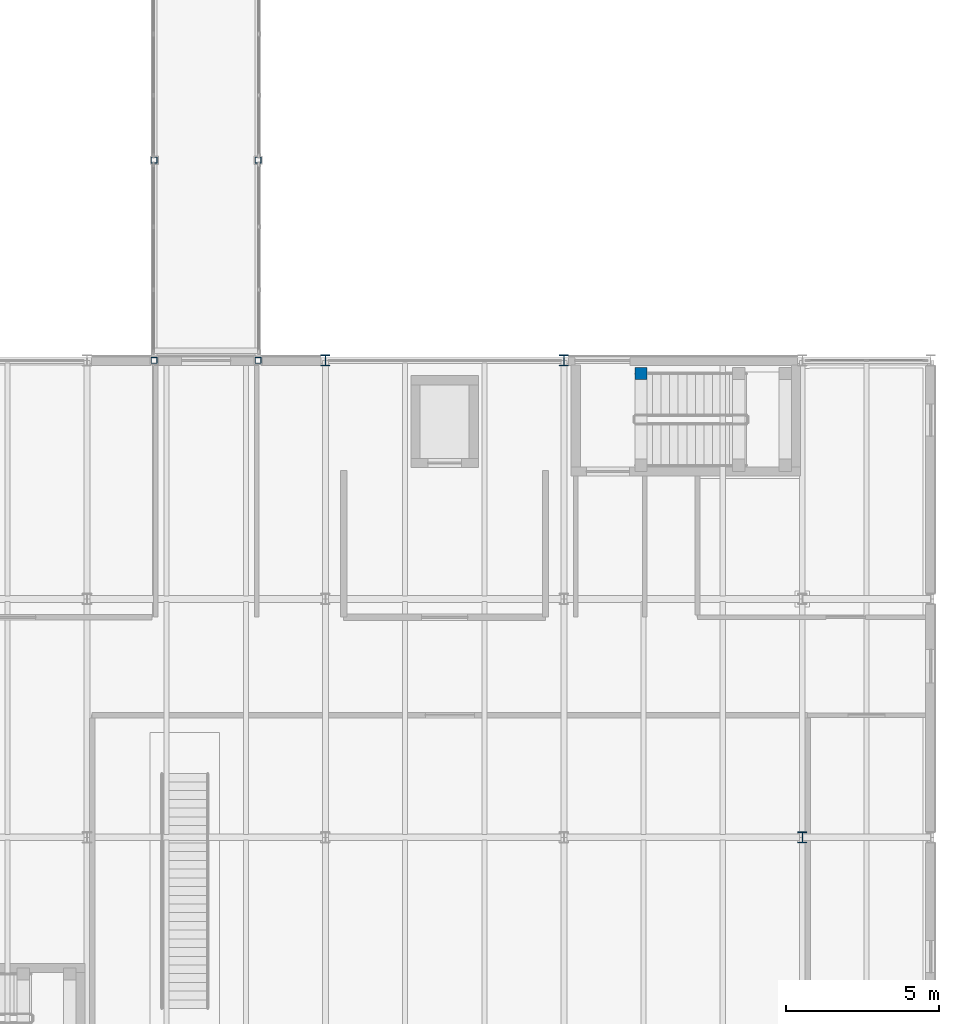
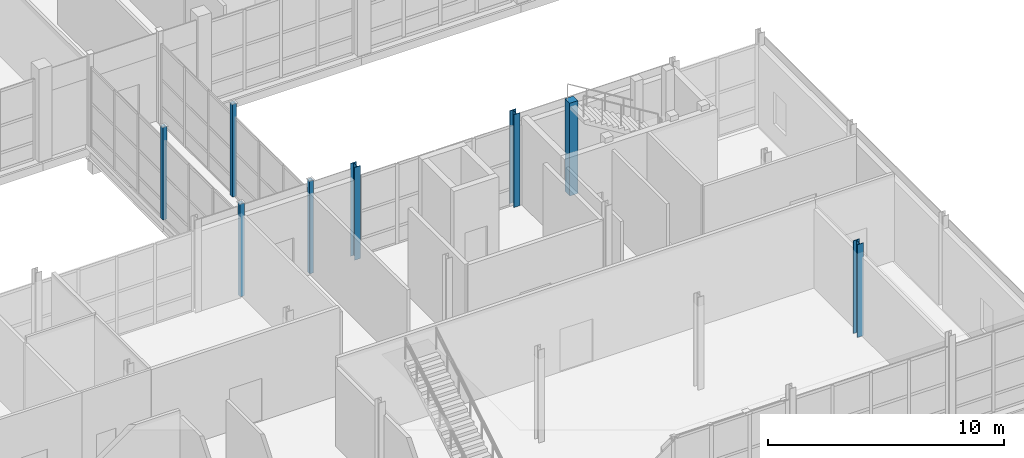
# One storey, part 21 of 131: 8 columns.
"""IFC4 building model written with IfcOpenShell, lengths in metres."""

from ifc_helpers import new_model, si_unit, direction, frame, origin, origin_2d, place, context, subcontext, project, spatial, rectangle, hollow_rectangle, i_section, extrude, material, material_profile, profile_set, type_object, element, save


model = new_model("IFC4")

# Units and contexts
model_context = context("Model", 3, precision=1e-05, world=origin(), true_north=direction((0.0, 1.0)))
body_context = subcontext(model_context, "Body", "Model", "MODEL_VIEW")
ifc_project = project(units=[si_unit("LENGTHUNIT", "METRE"), si_unit("AREAUNIT", "SQUARE_METRE"), si_unit("VOLUMEUNIT", "CUBIC_METRE"), si_unit("PLANEANGLEUNIT", "RADIAN"), si_unit("MASSUNIT", "GRAM", prefix="KILO")], contexts=[model_context])

# Site, building, storey
site_placement = place(None, origin())
site = spatial("IfcSite", under=ifc_project, at=site_placement, CompositionType="ELEMENT")
building_placement = place(site_placement, origin())
building = spatial("IfcBuilding", under=site, at=building_placement, Name="Celorna Specialist Clinic", CompositionType="ELEMENT")
storey_placement = place(building_placement, origin())
storey = spatial("IfcBuildingStorey", under=building, at=storey_placement, Name="L00", CompositionType="ELEMENT", Elevation=0.0)

# Columns
ifc_material_1 = material(Name="Concrete C35/45", Category="concrete")
ifc_material_profile_1 = material_profile(ifc_material_1, rectangle(XDim=0.39990234375, YDim=0.39990234375, at=origin_2d()), Name="RC 400x400")
ifc_profile_set_1 = profile_set([ifc_material_profile_1], Name="Concrete C35/45")
column_type_1 = type_object("IfcColumnType", Name="CT-08", PredefinedType="COLUMN", material=ifc_profile_set_1)
column_placement = place(storey_placement, frame((158.52001953125, 82.969970703125, 0.0), z_axis=(0.0, 0.0, 1.0), x_axis=(1.0, 0.0, 0.0)))
element("IfcColumn", 1, at=column_placement, inside=storey, type_object=column_type_1, Name="Stair ST-12 landing column CT-08 L00 X21/YQ", PredefinedType="COLUMN", context=body_context, shape_type="SweptSolid", body=[
    extrude(rectangle(XDim=0.39990234375, YDim=0.39990234375, at=origin_2d()), origin(), (0.0, 0.0, 1.0), 4.800048828125),
])
ifc_material_2 = material(Name="Steel S355", Category="steel")
ifc_material_profile_2 = material_profile(ifc_material_2, i_section(OverallWidth=0.300048828125, OverallDepth=0.360107421875, WebThickness=0.012451171875, FlangeThickness=0.0224609375, at=origin_2d()), Name="HE 360 B")
ifc_profile_set_2 = profile_set([ifc_material_profile_2], Name="Steel S355")
column_type_2 = type_object("IfcColumnType", Name="CT-13", PredefinedType="COLUMN", material=ifc_profile_set_2)
for number, where, z_axis, x_axis, name in (
    (2, (148.199951171875, 83.39990234375, 0.0), (0.0, 0.0, 1.0), (1.0, 0.0, 0.0), "Column CT-13 L00 X20/YQ"),
    (3, (156.0, 83.39990234375, 0.0), (0.0, 0.0, 1.0), (1.0, 0.0, 0.0), "Column CT-13 L00 X21/YQ"),
    (4, (163.800048828125, 67.800048828125, 0.0), (0.0, 0.0, 1.0), (1.0, 0.0, 0.0), "Column CT-13 L00 X22/YN"),
):
    element("IfcColumn", number, at=place(storey_placement, frame(where, z_axis=z_axis, x_axis=x_axis)), inside=storey, type_object=column_type_2, Name=name, PredefinedType="COLUMN", context=body_context, shape_type="SweptSolid", body=[
        extrude(i_section(OverallWidth=0.300048828125, OverallDepth=0.360107421875, WebThickness=0.012451171875, FlangeThickness=0.0224609375, at=origin_2d()), origin(), (0.0, 0.0, 1.0), 4.800048828125),
    ])
ifc_material_profile_3 = material_profile(ifc_material_2, hollow_rectangle(XDim=0.199951171875, YDim=0.199951171875, WallThickness=0.010009765625, at=origin_2d()), Name="SHS 200x200x10")
ifc_profile_set_3 = profile_set([ifc_material_profile_3], Name="Steel S355")
column_type_3 = type_object("IfcColumnType", Name="CT-15", PredefinedType="COLUMN", material=ifc_profile_set_3)
for number, where, z_axis, x_axis, name in (
    (5, (142.60009765625, 83.39990234375, 0.0), (0.0, 0.0, 1.0), (1.0, 0.0, 0.0), "Column CT-15 L00 X19/YQ"),
    (6, (146.0, 83.39990234375, 0.0), (0.0, 0.0, 1.0), (1.0, 0.0, 0.0), "Column CT-15 L00 X20/YQ"),
    (7, (142.60009765625, 89.949951171875, 0.0), (0.0, 0.0, 1.0), (1.0, 0.0, 0.0), "Column CT-15 L00 X19/YQ"),
    (8, (146.0, 89.949951171875, 0.0), (0.0, 0.0, 1.0), (1.0, 0.0, 0.0), "Column CT-15 L00 X20/YQ"),
):
    element("IfcColumn", number, at=place(storey_placement, frame(where, z_axis=z_axis, x_axis=x_axis)), inside=storey, type_object=column_type_3, Name=name, PredefinedType="COLUMN", context=body_context, shape_type="SweptSolid", body=[
        extrude(hollow_rectangle(XDim=0.199951171875, YDim=0.199951171875, WallThickness=0.010009765625, at=origin_2d()), origin(), (0.0, 0.0, 1.0), 4.800048828125),
    ])

save(model, "model.ifc")
